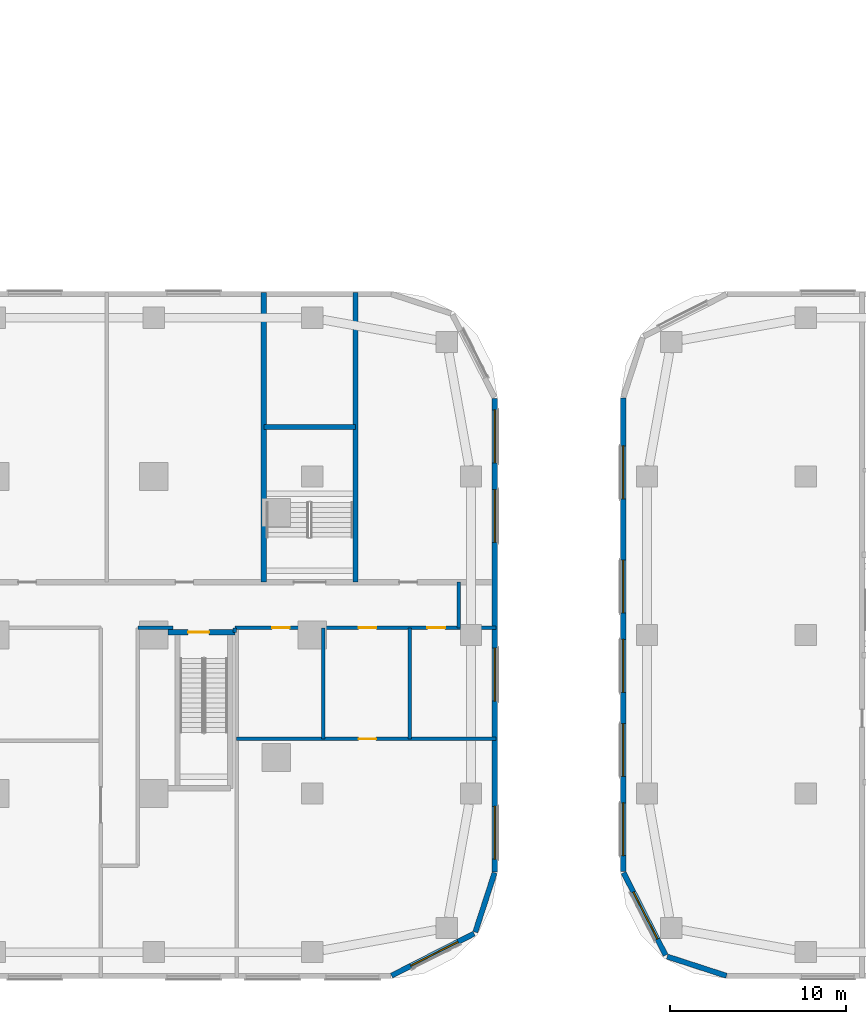
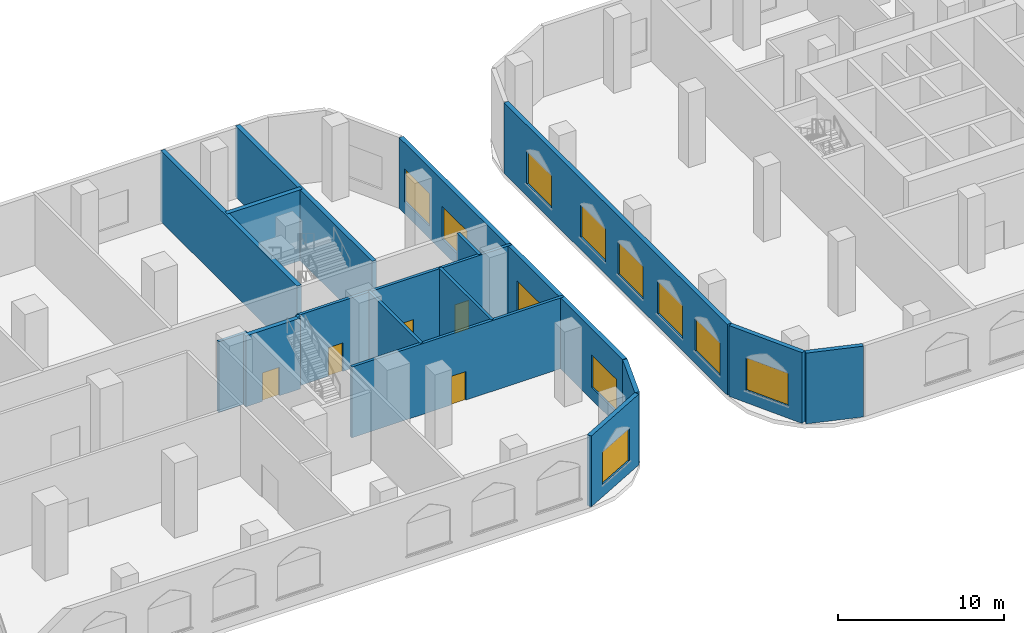
# One storey, part 8 of 31: 17 walls, 11 windows, 5 doors, 16 openings.
"""IFC4 building model written with IfcOpenShell, lengths in metres."""

from ifc_helpers import new_model, si_unit, direction, frame, frame_2d, origin, place, context, subcontext, project, spatial, rectangle, extrude, material, layer, layer_set, type_object, element, fill, save


model = new_model("IFC4")

# Units and contexts
model_context = context("Model", 3, precision=1e-05, world=origin(), true_north=direction((0.0, 1.0)))
body_context = subcontext(model_context, "Body", "Model", "MODEL_VIEW")
ifc_project = project(units=[si_unit("LENGTHUNIT", "METRE"), si_unit("AREAUNIT", "SQUARE_METRE"), si_unit("VOLUMEUNIT", "CUBIC_METRE"), si_unit("PLANEANGLEUNIT", "RADIAN"), si_unit("MASSUNIT", "GRAM", prefix="KILO")], contexts=[model_context])

# Site, building, storey
site_placement = place(None, origin())
site = spatial("IfcSite", under=ifc_project, at=site_placement, CompositionType="ELEMENT")
building_placement = place(site_placement, origin())
building = spatial("IfcBuilding", under=site, at=building_placement, Name="Ogive Portal Towers", CompositionType="ELEMENT")
storey_placement = place(building_placement, frame((0.0, 0.0, 8.0)))
storey = spatial("IfcBuildingStorey", under=building, at=storey_placement, Name="L01", CompositionType="ELEMENT", Elevation=8.0)

# Wall, opening, window
ifc_material_1 = material(Name="Limestone cladding on lightweight block wall", Category="masonry")
ifc_layer_1 = layer(ifc_material_1, 0.300048828125)
ifc_layer_set_1 = layer_set([ifc_layer_1], Name="EXTERNAL WALL 300 STONE")
wall_type_1 = type_object("IfcWallType", Name="EXTERNAL WALL 300 STONE", PredefinedType="SOLIDWALL", material=ifc_layer_set_1)
wall_1_placement = place(storey_placement, frame((98.99609375, 11.166259765625, 0.0), z_axis=(0.0, 0.0, 1.0), x_axis=(0.890998339455, 0.454006562826, 0.0)))
wall_1 = element("IfcWall", 1, at=wall_1_placement, inside=storey, type_object=wall_type_1, Name="A:L01:f03:w0", PredefinedType="SOLIDWALL", context=body_context, shape_type="SweptSolid", body=[
    extrude(rectangle(XDim=5.251708984375, YDim=0.300048828125, at=frame_2d((2.6259765625, 0.0))), origin(), (0.0, 0.0, 1.0), 5.199951171875),
])
opening_1_placement = place(wall_1_placement, frame((1.223876953125, 0.0, 0.89990234375)))
opening_1 = element("IfcOpeningElement", 2, at=opening_1_placement, cuts=wall_1, Name="Opening WN3", PredefinedType="OPENING", context=body_context, shape_type="SweptSolid", body=[
    extrude(rectangle(XDim=3.0, YDim=2.39990234375, at=frame_2d((1.5, 1.199951171875))), frame((0.0, 0.16015625, 0.0), z_axis=(0.0, -1.0, 0.0), x_axis=(1.0, 0.0, 0.0)), (0.0, 0.0, 1.0), 0.320068359375),
])
ifc_material_2 = material(Name="Glass, clear low-iron insulated glazing", Category="glass")
window_type = type_object("IfcWindowType", Name="WINDOW PODIUM 3000x2400", PartitioningType="SINGLE_PANEL", PredefinedType="WINDOW", material=ifc_material_2)
window_1_placement = place(opening_1_placement, origin())
window_1 = element("IfcWindow", 3, at=window_1_placement, inside=storey, type_object=window_type, Name="A:L01:f03:w0:o0", OverallHeight=2.39990234375, OverallWidth=3.0, PartitioningType="SINGLE_PANEL", PredefinedType="WINDOW", context=body_context, shape_type="SweptSolid", body=[
    extrude(rectangle(XDim=3.0, YDim=2.39990234375, at=frame_2d((1.5, 1.199951171875))), frame((0.0, 0.030029296875, 0.0), z_axis=(0.0, -1.0, 0.0), x_axis=(1.0, 0.0, 0.0)), (0.0, 0.0, 1.0), 0.06005859375),
])
fill(opening_1, window_1)

# Wall
wall_2_placement = place(storey_placement, frame((103.749755859375, 13.637939453125, 0.0), z_axis=(0.0, 0.0, 1.0), x_axis=(0.309073584194, 0.951038127287, 0.0)))
element("IfcWall", 4, at=wall_2_placement, inside=storey, type_object=wall_type_1, Name="A:L01:f04:w0", PredefinedType="SOLIDWALL", context=body_context, shape_type="SweptSolid", body=[
    extrude(rectangle(XDim=3.536376953125, YDim=0.300048828125, at=frame_2d((1.76806640625, 0.0))), origin(), (0.0, 0.0, 1.0), 5.199951171875),
])

# Wall, openings, windows
wall_3_placement = place(storey_placement, frame((104.85009765625, 17.047607421875, 0.0), z_axis=(0.0, 0.0, 1.0), x_axis=(0.0, 1.0, 0.0)))
wall_3 = element("IfcWall", 5, at=wall_3_placement, inside=storey, type_object=wall_type_1, Name="A:L01:f05:w0", PredefinedType="SOLIDWALL", context=body_context, shape_type="SweptSolid", body=[
    extrude(rectangle(XDim=26.88037109375, YDim=0.300048828125, at=frame_2d((13.440185546875, 0.0))), origin(), (0.0, 0.0, 1.0), 5.199951171875),
])
opening_2_placement = place(wall_3_placement, frame((0.726318359375, 0.0, 0.89990234375)))
opening_2 = element("IfcOpeningElement", 6, at=opening_2_placement, cuts=wall_3, Name="Opening WN3", PredefinedType="OPENING", context=body_context, shape_type="SweptSolid", body=[
    extrude(rectangle(XDim=3.0, YDim=2.39990234375, at=frame_2d((1.5, 1.199951171875))), frame((0.0, 0.16015625, 0.0), z_axis=(0.0, -1.0, 0.0), x_axis=(1.0, 0.0, 0.0)), (0.0, 0.0, 1.0), 0.320068359375),
])
opening_3_placement = place(wall_3_placement, frame((9.702392578125, 0.0, 0.89990234375)))
opening_3 = element("IfcOpeningElement", 7, at=opening_3_placement, cuts=wall_3, Name="Opening WN3", PredefinedType="OPENING", context=body_context, shape_type="SweptSolid", body=[
    extrude(rectangle(XDim=3.0, YDim=2.39990234375, at=frame_2d((1.5, 1.199951171875))), frame((0.0, 0.16015625, 0.0), z_axis=(0.0, -1.0, 0.0), x_axis=(1.0, 0.0, 0.0)), (0.0, 0.0, 1.0), 0.320068359375),
])
opening_4_placement = place(wall_3_placement, frame((18.702392578125, 0.0, 0.89990234375)))
opening_4 = element("IfcOpeningElement", 8, at=opening_4_placement, cuts=wall_3, Name="Opening WN3", PredefinedType="OPENING", context=body_context, shape_type="SweptSolid", body=[
    extrude(rectangle(XDim=3.0, YDim=2.39990234375, at=frame_2d((1.5, 1.199951171875))), frame((0.0, 0.16015625, 0.0), z_axis=(0.0, -1.0, 0.0), x_axis=(1.0, 0.0, 0.0)), (0.0, 0.0, 1.0), 0.320068359375),
])
opening_5_placement = place(wall_3_placement, frame((23.226318359375, 0.0, 0.89990234375)))
opening_5 = element("IfcOpeningElement", 9, at=opening_5_placement, cuts=wall_3, Name="Opening WN3", PredefinedType="OPENING", context=body_context, shape_type="SweptSolid", body=[
    extrude(rectangle(XDim=3.0, YDim=2.39990234375, at=frame_2d((1.5, 1.199951171875))), frame((0.0, 0.16015625, 0.0), z_axis=(0.0, -1.0, 0.0), x_axis=(1.0, 0.0, 0.0)), (0.0, 0.0, 1.0), 0.320068359375),
])
window_2_placement = place(opening_2_placement, origin())
window_2 = element("IfcWindow", 10, at=window_2_placement, inside=storey, type_object=window_type, Name="A:L01:f05:w0:o0", OverallHeight=2.39990234375, OverallWidth=3.0, PartitioningType="SINGLE_PANEL", PredefinedType="WINDOW", context=body_context, shape_type="SweptSolid", body=[
    extrude(rectangle(XDim=3.0, YDim=2.39990234375, at=frame_2d((1.5, 1.199951171875))), frame((0.0, 0.030029296875, 0.0), z_axis=(0.0, -1.0, 0.0), x_axis=(1.0, 0.0, 0.0)), (0.0, 0.0, 1.0), 0.06005859375),
])
fill(opening_2, window_2)
window_3_placement = place(opening_3_placement, origin())
window_3 = element("IfcWindow", 11, at=window_3_placement, inside=storey, type_object=window_type, Name="A:L01:f05:w0:o1b", OverallHeight=2.39990234375, OverallWidth=3.0, PartitioningType="SINGLE_PANEL", PredefinedType="WINDOW", context=body_context, shape_type="SweptSolid", body=[
    extrude(rectangle(XDim=3.0, YDim=2.39990234375, at=frame_2d((1.5, 1.199951171875))), frame((0.0, 0.030029296875, 0.0), z_axis=(0.0, -1.0, 0.0), x_axis=(1.0, 0.0, 0.0)), (0.0, 0.0, 1.0), 0.06005859375),
])
fill(opening_3, window_3)
window_4_placement = place(opening_4_placement, origin())
window_4 = element("IfcWindow", 12, at=window_4_placement, inside=storey, type_object=window_type, Name="A:L01:f05:w0:o2b", OverallHeight=2.39990234375, OverallWidth=3.0, PartitioningType="SINGLE_PANEL", PredefinedType="WINDOW", context=body_context, shape_type="SweptSolid", body=[
    extrude(rectangle(XDim=3.0, YDim=2.39990234375, at=frame_2d((1.5, 1.199951171875))), frame((0.0, 0.030029296875, 0.0), z_axis=(0.0, -1.0, 0.0), x_axis=(1.0, 0.0, 0.0)), (0.0, 0.0, 1.0), 0.06005859375),
])
fill(opening_4, window_4)
window_5_placement = place(opening_5_placement, origin())
window_5 = element("IfcWindow", 13, at=window_5_placement, inside=storey, type_object=window_type, Name="A:L01:f05:w0:o3", OverallHeight=2.39990234375, OverallWidth=3.0, PartitioningType="SINGLE_PANEL", PredefinedType="WINDOW", context=body_context, shape_type="SweptSolid", body=[
    extrude(rectangle(XDim=3.0, YDim=2.39990234375, at=frame_2d((1.5, 1.199951171875))), frame((0.0, 0.030029296875, 0.0), z_axis=(0.0, -1.0, 0.0), x_axis=(1.0, 0.0, 0.0)), (0.0, 0.0, 1.0), 0.06005859375),
])
fill(opening_5, window_5)

# Wall, opening, window
wall_4_placement = place(storey_placement, frame((112.166259765625, 17.00390625, 0.0), z_axis=(0.0, 0.0, 1.0), x_axis=(0.454006562826, -0.890998339455, 0.0)))
wall_4 = element("IfcWall", 14, at=wall_4_placement, inside=storey, type_object=wall_type_1, Name="B:L01:f00:w0", PredefinedType="SOLIDWALL", context=body_context, shape_type="SweptSolid", body=[
    extrude(rectangle(XDim=5.251708984375, YDim=0.300048828125, at=frame_2d((2.6259765625, 0.0))), origin(), (0.0, 0.0, 1.0), 5.199951171875),
])
opening_6_placement = place(wall_4_placement, frame((1.223876953125, 0.0, 0.89990234375)))
opening_6 = element("IfcOpeningElement", 15, at=opening_6_placement, cuts=wall_4, Name="Opening WN3", PredefinedType="OPENING", context=body_context, shape_type="SweptSolid", body=[
    extrude(rectangle(XDim=3.0, YDim=2.39990234375, at=frame_2d((1.5, 1.199951171875))), frame((0.0, 0.16015625, 0.0), z_axis=(0.0, -1.0, 0.0), x_axis=(1.0, 0.0, 0.0)), (0.0, 0.0, 1.0), 0.320068359375),
])
window_6_placement = place(opening_6_placement, origin())
window_6 = element("IfcWindow", 16, at=window_6_placement, inside=storey, type_object=window_type, Name="B:L01:f00:w0:o0", OverallHeight=2.39990234375, OverallWidth=3.0, PartitioningType="SINGLE_PANEL", PredefinedType="WINDOW", context=body_context, shape_type="SweptSolid", body=[
    extrude(rectangle(XDim=3.0, YDim=2.39990234375, at=frame_2d((1.5, 1.199951171875))), frame((0.0, 0.030029296875, 0.0), z_axis=(0.0, -1.0, 0.0), x_axis=(1.0, 0.0, 0.0)), (0.0, 0.0, 1.0), 0.06005859375),
])
fill(opening_6, window_6)

# Wall
wall_5_placement = place(storey_placement, frame((114.637939453125, 12.250244140625, 0.0), z_axis=(0.0, 0.0, 1.0), x_axis=(0.951038127287, -0.309073584194, 0.0)))
element("IfcWall", 17, at=wall_5_placement, inside=storey, type_object=wall_type_1, Name="B:L01:f01:w0", PredefinedType="SOLIDWALL", context=body_context, shape_type="SweptSolid", body=[
    extrude(rectangle(XDim=3.536376953125, YDim=0.300048828125, at=frame_2d((1.76806640625, 0.0))), origin(), (0.0, 0.0, 1.0), 5.199951171875),
])

# Wall, openings, windows
wall_6_placement = place(storey_placement, frame((112.14990234375, 43.952392578125, 0.0), z_axis=(0.0, 0.0, 1.0), x_axis=(0.0, -1.0, 0.0)))
wall_6 = element("IfcWall", 18, at=wall_6_placement, inside=storey, type_object=wall_type_1, Name="B:L01:f11:w0", PredefinedType="SOLIDWALL", context=body_context, shape_type="SweptSolid", body=[
    extrude(rectangle(XDim=26.88037109375, YDim=0.300048828125, at=frame_2d((13.440185546875, 0.0))), origin(), (0.0, 0.0, 1.0), 5.199951171875),
])
opening_7_placement = place(wall_6_placement, frame((2.726318359375, 0.0, 0.89990234375)))
opening_7 = element("IfcOpeningElement", 19, at=opening_7_placement, cuts=wall_6, Name="Opening WN3", PredefinedType="OPENING", context=body_context, shape_type="SweptSolid", body=[
    extrude(rectangle(XDim=3.0, YDim=2.39990234375, at=frame_2d((1.5, 1.199951171875))), frame((0.0, 0.16015625, 0.0), z_axis=(0.0, -1.0, 0.0), x_axis=(1.0, 0.0, 0.0)), (0.0, 0.0, 1.0), 0.320068359375),
])
opening_8_placement = place(wall_6_placement, frame((9.202392578125, 0.0, 0.89990234375)))
opening_8 = element("IfcOpeningElement", 20, at=opening_8_placement, cuts=wall_6, Name="Opening WN3", PredefinedType="OPENING", context=body_context, shape_type="SweptSolid", body=[
    extrude(rectangle(XDim=3.0, YDim=2.39990234375, at=frame_2d((1.5, 1.199951171875))), frame((0.0, 0.16015625, 0.0), z_axis=(0.0, -1.0, 0.0), x_axis=(1.0, 0.0, 0.0)), (0.0, 0.0, 1.0), 0.320068359375),
])
opening_9_placement = place(wall_6_placement, frame((13.702392578125, 0.0, 0.89990234375)))
opening_9 = element("IfcOpeningElement", 21, at=opening_9_placement, cuts=wall_6, Name="Opening WN3", PredefinedType="OPENING", context=body_context, shape_type="SweptSolid", body=[
    extrude(rectangle(XDim=3.0, YDim=2.39990234375, at=frame_2d((1.5, 1.199951171875))), frame((0.0, 0.16015625, 0.0), z_axis=(0.0, -1.0, 0.0), x_axis=(1.0, 0.0, 0.0)), (0.0, 0.0, 1.0), 0.320068359375),
])
opening_10_placement = place(wall_6_placement, frame((18.476318359375, 0.0, 0.89990234375)))
opening_10 = element("IfcOpeningElement", 22, at=opening_10_placement, cuts=wall_6, Name="Opening WN3", PredefinedType="OPENING", context=body_context, shape_type="SweptSolid", body=[
    extrude(rectangle(XDim=3.0, YDim=2.39990234375, at=frame_2d((1.5, 1.199951171875))), frame((0.0, 0.16015625, 0.0), z_axis=(0.0, -1.0, 0.0), x_axis=(1.0, 0.0, 0.0)), (0.0, 0.0, 1.0), 0.320068359375),
])
opening_11_placement = place(wall_6_placement, frame((22.976318359375, 0.0, 0.89990234375)))
opening_11 = element("IfcOpeningElement", 23, at=opening_11_placement, cuts=wall_6, Name="Opening WN3", PredefinedType="OPENING", context=body_context, shape_type="SweptSolid", body=[
    extrude(rectangle(XDim=3.0, YDim=2.39990234375, at=frame_2d((1.5, 1.199951171875))), frame((0.0, 0.16015625, 0.0), z_axis=(0.0, -1.0, 0.0), x_axis=(1.0, 0.0, 0.0)), (0.0, 0.0, 1.0), 0.320068359375),
])
window_7_placement = place(opening_7_placement, origin())
window_7 = element("IfcWindow", 24, at=window_7_placement, inside=storey, type_object=window_type, Name="B:L01:f11:w0:o0", OverallHeight=2.39990234375, OverallWidth=3.0, PartitioningType="SINGLE_PANEL", PredefinedType="WINDOW", context=body_context, shape_type="SweptSolid", body=[
    extrude(rectangle(XDim=3.0, YDim=2.39990234375, at=frame_2d((1.5, 1.199951171875))), frame((0.0, 0.030029296875, 0.0), z_axis=(0.0, -1.0, 0.0), x_axis=(1.0, 0.0, 0.0)), (0.0, 0.0, 1.0), 0.06005859375),
])
fill(opening_7, window_7)
window_8_placement = place(opening_8_placement, origin())
window_8 = element("IfcWindow", 25, at=window_8_placement, inside=storey, type_object=window_type, Name="B:L01:f11:w0:o1a", OverallHeight=2.39990234375, OverallWidth=3.0, PartitioningType="SINGLE_PANEL", PredefinedType="WINDOW", context=body_context, shape_type="SweptSolid", body=[
    extrude(rectangle(XDim=3.0, YDim=2.39990234375, at=frame_2d((1.5, 1.199951171875))), frame((0.0, 0.030029296875, 0.0), z_axis=(0.0, -1.0, 0.0), x_axis=(1.0, 0.0, 0.0)), (0.0, 0.0, 1.0), 0.06005859375),
])
fill(opening_8, window_8)
window_9_placement = place(opening_9_placement, origin())
window_9 = element("IfcWindow", 26, at=window_9_placement, inside=storey, type_object=window_type, Name="B:L01:f11:w0:o1b", OverallHeight=2.39990234375, OverallWidth=3.0, PartitioningType="SINGLE_PANEL", PredefinedType="WINDOW", context=body_context, shape_type="SweptSolid", body=[
    extrude(rectangle(XDim=3.0, YDim=2.39990234375, at=frame_2d((1.5, 1.199951171875))), frame((0.0, 0.030029296875, 0.0), z_axis=(0.0, -1.0, 0.0), x_axis=(1.0, 0.0, 0.0)), (0.0, 0.0, 1.0), 0.06005859375),
])
fill(opening_9, window_9)
window_10_placement = place(opening_10_placement, origin())
window_10 = element("IfcWindow", 27, at=window_10_placement, inside=storey, type_object=window_type, Name="B:L01:f11:w0:o2a", OverallHeight=2.39990234375, OverallWidth=3.0, PartitioningType="SINGLE_PANEL", PredefinedType="WINDOW", context=body_context, shape_type="SweptSolid", body=[
    extrude(rectangle(XDim=3.0, YDim=2.39990234375, at=frame_2d((1.5, 1.199951171875))), frame((0.0, 0.030029296875, 0.0), z_axis=(0.0, -1.0, 0.0), x_axis=(1.0, 0.0, 0.0)), (0.0, 0.0, 1.0), 0.06005859375),
])
fill(opening_10, window_10)
window_11_placement = place(opening_11_placement, origin())
window_11 = element("IfcWindow", 28, at=window_11_placement, inside=storey, type_object=window_type, Name="B:L01:f11:w0:o2b", OverallHeight=2.39990234375, OverallWidth=3.0, PartitioningType="SINGLE_PANEL", PredefinedType="WINDOW", context=body_context, shape_type="SweptSolid", body=[
    extrude(rectangle(XDim=3.0, YDim=2.39990234375, at=frame_2d((1.5, 1.199951171875))), frame((0.0, 0.030029296875, 0.0), z_axis=(0.0, -1.0, 0.0), x_axis=(1.0, 0.0, 0.0)), (0.0, 0.0, 1.0), 0.06005859375),
])
fill(opening_11, window_11)

# Wall, opening, door
ifc_material_3 = material(Name="Concrete C50/60", Category="concrete")
ifc_layer_2 = layer(ifc_material_3, 0.300048828125)
ifc_layer_set_2 = layer_set([ifc_layer_2], Name="STAIR WALL 300 C50")
wall_type_2 = type_object("IfcWallType", Name="STAIR WALL 300 C50", PredefinedType="SHEAR", material=ifc_layer_set_2)
wall_7_placement = place(storey_placement, frame((86.300048828125, 30.64990234375, 0.0), z_axis=(0.0, 0.0, 1.0), x_axis=(1.0, 0.0, 0.0)))
wall_7 = element("IfcWall", 29, at=wall_7_placement, inside=storey, type_object=wall_type_2, Name="Stair wall ST-A4 L01", PredefinedType="SHEAR", context=body_context, shape_type="SweptSolid", body=[
    extrude(rectangle(XDim=3.800048828125, YDim=0.300048828125, at=frame_2d((1.89990234375, 0.0))), origin(), (0.0, 0.0, 1.0), 5.199951171875),
])
opening_12_placement = place(wall_7_placement, frame((1.14990234375, 0.0, 0.0)))
opening_12 = element("IfcOpeningElement", 30, at=opening_12_placement, cuts=wall_7, Name="Opening P01-002", PredefinedType="OPENING", context=body_context, shape_type="SweptSolid", body=[
    extrude(rectangle(XDim=1.199951171875, YDim=2.10009765625, at=frame_2d((0.60009765625, 1.050048828125))), frame((0.0, 0.16015625, 0.0), z_axis=(0.0, -1.0, 0.0), x_axis=(1.0, 0.0, 0.0)), (0.0, 0.0, 1.0), 0.320068359375),
])
ifc_material_4 = material(Name="Steel fire door", Category="steel")
door_type_1 = type_object("IfcDoorType", Name="DT-SWING-1200x2100-FD90S", OperationType="SINGLE_SWING_LEFT", PredefinedType="DOOR", material=ifc_material_4)
door_1_placement = place(opening_12_placement, origin())
door_1 = element("IfcDoor", 31, at=door_1_placement, inside=storey, type_object=door_type_1, Name="Door P01-002", OperationType="SINGLE_SWING_RIGHT", OverallHeight=2.10009765625, OverallWidth=1.199951171875, PredefinedType="DOOR", context=body_context, shape_type="SweptSolid", body=[
    extrude(rectangle(XDim=1.199951171875, YDim=2.10009765625, at=frame_2d((0.60009765625, 1.050048828125))), frame((0.0, 0.02490234375, 0.0), z_axis=(0.0, -1.0, 0.0), x_axis=(1.0, 0.0, 0.0)), (0.0, 0.0, 1.0), 0.050048828125),
])
fill(opening_12, door_1)

# Walls
wall_8_placement = place(storey_placement, frame((91.75, 42.300048828125, 0.0), z_axis=(0.0, 0.0, 1.0), x_axis=(1.0, 0.0, 0.0)))
element("IfcWall", 32, at=wall_8_placement, inside=storey, type_object=wall_type_2, Name="Stair wall ST-P1 L01", PredefinedType="SHEAR", context=body_context, shape_type="SweptSolid", body=[
    extrude(rectangle(XDim=5.199951171875, YDim=0.300048828125, at=frame_2d((2.60009765625, 0.0))), origin(), (0.0, 0.0, 1.0), 5.199951171875),
])
for number, where, z_axis, x_axis, name in (
    (33, (91.75, 33.5, 0.0), (0.0, 0.0, 1.0), (0.0, 1.0, 0.0), "Stair wall ST-P1 L01"),
    (34, (96.949951171875, 33.5, 0.0), (0.0, 0.0, 1.0), (0.0, 1.0, 0.0), "Stair wall ST-P1 L01"),
):
    element("IfcWall", number, at=place(storey_placement, frame(where, z_axis=z_axis, x_axis=x_axis)), inside=storey, type_object=wall_type_2, Name=name, PredefinedType="SHEAR", context=body_context, shape_type="SweptSolid", body=[
        extrude(rectangle(XDim=16.429931640625, YDim=0.300048828125, at=frame_2d((8.21484375, 0.0))), origin(), (0.0, 0.0, 1.0), 5.199951171875),
    ])

# Wall, opening, door
ifc_material_5 = material(Name="Gypsum board partition on steel studs", Category="steel")
ifc_layer_3 = layer(ifc_material_5, 0.199951171875)
ifc_layer_set_3 = layer_set([ifc_layer_3], Name="WT-PART-200-EI 60")
wall_type_3 = type_object("IfcWallType", Name="WT-PART-200-EI 60", PredefinedType="PARTITIONING", material=ifc_layer_set_3)
wall_9_placement = place(storey_placement, frame((90.199951171875, 24.60009765625, 0.0), z_axis=(0.0, 0.0, 1.0), x_axis=(1.0, 0.0, 0.0)))
wall_9 = element("IfcWall", 35, at=wall_9_placement, inside=storey, type_object=wall_type_3, Name="Wall L01:w010", PredefinedType="PARTITIONING", context=body_context, shape_type="SweptSolid", body=[
    extrude(rectangle(XDim=14.72998046875, YDim=0.199951171875, at=frame_2d((7.364990234375, 0.0))), origin(), (0.0, 0.0, 1.0), 5.199951171875),
])
opening_13_placement = place(wall_9_placement, frame((6.925048828125, 0.0, 0.0)))
opening_13 = element("IfcOpeningElement", 36, at=opening_13_placement, cuts=wall_9, Name="Opening P01-014", PredefinedType="OPENING", context=body_context, shape_type="SweptSolid", body=[
    extrude(rectangle(XDim=1.0, YDim=2.10009765625, at=frame_2d((0.5, 1.050048828125))), frame((0.0, 0.10986328125, 0.0), z_axis=(0.0, -1.0, 0.0), x_axis=(1.0, 0.0, 0.0)), (0.0, 0.0, 1.0), 0.219970703125),
])
door_type_2 = type_object("IfcDoorType", Name="DT-SWING-1000x2100-FD60S", OperationType="SINGLE_SWING_LEFT", PredefinedType="DOOR", material=ifc_material_4)
door_2_placement = place(opening_13_placement, origin())
door_2 = element("IfcDoor", 37, at=door_2_placement, inside=storey, type_object=door_type_2, Name="Door P01-014", OperationType="SINGLE_SWING_RIGHT", OverallHeight=2.10009765625, OverallWidth=1.0, PredefinedType="DOOR", context=body_context, shape_type="SweptSolid", body=[
    extrude(rectangle(XDim=1.0, YDim=2.10009765625, at=frame_2d((0.5, 1.050048828125))), frame((0.0, 0.02490234375, 0.0), z_axis=(0.0, -1.0, 0.0), x_axis=(1.0, 0.0, 0.0)), (0.0, 0.0, 1.0), 0.050048828125),
])
fill(opening_13, door_2)

# Wall
wall_10_placement = place(storey_placement, frame((84.60009765625, 30.89990234375, 0.0), z_axis=(0.0, 0.0, 1.0), x_axis=(1.0, 0.0, 0.0)))
element("IfcWall", 38, at=wall_10_placement, inside=storey, type_object=wall_type_3, Name="Wall L01:w014", PredefinedType="PARTITIONING", context=body_context, shape_type="SweptSolid", body=[
    extrude(rectangle(XDim=2.0, YDim=0.199951171875, at=frame_2d((1.0, 0.0))), origin(), (0.0, 0.0, 1.0), 5.199951171875),
])

# Wall, openings, doors
wall_11_placement = place(storey_placement, frame((90.10009765625, 30.89990234375, 0.0), z_axis=(0.0, 0.0, 1.0), x_axis=(1.0, 0.0, 0.0)))
wall_11 = element("IfcWall", 39, at=wall_11_placement, inside=storey, type_object=wall_type_3, Name="Wall L01:w015", PredefinedType="PARTITIONING", context=body_context, shape_type="SweptSolid", body=[
    extrude(rectangle(XDim=14.829833984375, YDim=0.199951171875, at=frame_2d((7.4150390625, 0.0))), origin(), (0.0, 0.0, 1.0), 5.199951171875),
])
opening_14_placement = place(wall_11_placement, frame((2.113037109375, 0.0, 0.0)))
opening_14 = element("IfcOpeningElement", 40, at=opening_14_placement, cuts=wall_11, Name="Opening P01-011", PredefinedType="OPENING", context=body_context, shape_type="SweptSolid", body=[
    extrude(rectangle(XDim=1.0, YDim=2.10009765625, at=frame_2d((0.5, 1.050048828125))), frame((0.0, 0.10986328125, 0.0), z_axis=(0.0, -1.0, 0.0), x_axis=(1.0, 0.0, 0.0)), (0.0, 0.0, 1.0), 0.219970703125),
])
opening_15_placement = place(wall_11_placement, frame((7.030029296875, 0.0, 0.0)))
opening_15 = element("IfcOpeningElement", 41, at=opening_15_placement, cuts=wall_11, Name="Opening P01-012", PredefinedType="OPENING", context=body_context, shape_type="SweptSolid", body=[
    extrude(rectangle(XDim=1.0, YDim=2.10009765625, at=frame_2d((0.5, 1.050048828125))), frame((0.0, 0.10986328125, 0.0), z_axis=(0.0, -1.0, 0.0), x_axis=(1.0, 0.0, 0.0)), (0.0, 0.0, 1.0), 0.219970703125),
])
opening_16_placement = place(wall_11_placement, frame((10.93505859375, 0.0, 0.0)))
opening_16 = element("IfcOpeningElement", 42, at=opening_16_placement, cuts=wall_11, Name="Opening P01-013", PredefinedType="OPENING", context=body_context, shape_type="SweptSolid", body=[
    extrude(rectangle(XDim=1.0, YDim=2.10009765625, at=frame_2d((0.5, 1.050048828125))), frame((0.0, 0.10986328125, 0.0), z_axis=(0.0, -1.0, 0.0), x_axis=(1.0, 0.0, 0.0)), (0.0, 0.0, 1.0), 0.219970703125),
])
door_3_placement = place(opening_14_placement, origin())
door_3 = element("IfcDoor", 43, at=door_3_placement, inside=storey, type_object=door_type_2, Name="Door P01-011", OperationType="SINGLE_SWING_LEFT", OverallHeight=2.10009765625, OverallWidth=1.0, PredefinedType="DOOR", context=body_context, shape_type="SweptSolid", body=[
    extrude(rectangle(XDim=1.0, YDim=2.10009765625, at=frame_2d((0.5, 1.050048828125))), frame((0.0, 0.02490234375, 0.0), z_axis=(0.0, -1.0, 0.0), x_axis=(1.0, 0.0, 0.0)), (0.0, 0.0, 1.0), 0.050048828125),
])
fill(opening_14, door_3)
door_4_placement = place(opening_15_placement, origin())
door_4 = element("IfcDoor", 44, at=door_4_placement, inside=storey, type_object=door_type_2, Name="Door P01-012", OperationType="SINGLE_SWING_RIGHT", OverallHeight=2.10009765625, OverallWidth=1.0, PredefinedType="DOOR", context=body_context, shape_type="SweptSolid", body=[
    extrude(rectangle(XDim=1.0, YDim=2.10009765625, at=frame_2d((0.5, 1.050048828125))), frame((0.0, 0.02490234375, 0.0), z_axis=(0.0, -1.0, 0.0), x_axis=(1.0, 0.0, 0.0)), (0.0, 0.0, 1.0), 0.050048828125),
])
fill(opening_15, door_4)
door_5_placement = place(opening_16_placement, origin())
door_5 = element("IfcDoor", 45, at=door_5_placement, inside=storey, type_object=door_type_2, Name="Door P01-013", OperationType="SINGLE_SWING_LEFT", OverallHeight=2.10009765625, OverallWidth=1.0, PredefinedType="DOOR", context=body_context, shape_type="SweptSolid", body=[
    extrude(rectangle(XDim=1.0, YDim=2.10009765625, at=frame_2d((0.5, 1.050048828125))), frame((0.0, 0.02490234375, 0.0), z_axis=(0.0, -1.0, 0.0), x_axis=(1.0, 0.0, 0.0)), (0.0, 0.0, 1.0), 0.050048828125),
])
fill(opening_16, door_5)

# Walls
wall_12_placement = place(storey_placement, frame((100.032958984375, 24.60009765625, 0.0), z_axis=(0.0, 0.0, 1.0), x_axis=(0.0, 1.0, 0.0)))
element("IfcWall", 46, at=wall_12_placement, inside=storey, type_object=wall_type_3, Name="Wall L01:w046", PredefinedType="PARTITIONING", context=body_context, shape_type="SweptSolid", body=[
    extrude(rectangle(XDim=6.2998046875, YDim=0.199951171875, at=frame_2d((3.14990234375, 0.0))), origin(), (0.0, 0.0, 1.0), 5.199951171875),
])
wall_13_placement = place(storey_placement, frame((102.800048828125, 30.89990234375, 0.0), z_axis=(0.0, 0.0, 1.0), x_axis=(0.0, 1.0, 0.0)))
element("IfcWall", 47, at=wall_13_placement, inside=storey, type_object=wall_type_3, Name="Wall L01:w047", PredefinedType="PARTITIONING", context=body_context, shape_type="SweptSolid", body=[
    extrude(rectangle(XDim=2.60009765625, YDim=0.199951171875, at=frame_2d((1.300048828125, 0.0))), origin(), (0.0, 0.0, 1.0), 5.199951171875),
])
wall_14_placement = place(storey_placement, frame((90.10009765625, 30.64990234375, 0.0), z_axis=(0.0, 0.0, 1.0), x_axis=(0.0, 1.0, 0.0)))
element("IfcWall", 48, at=wall_14_placement, inside=storey, type_object=wall_type_3, Name="Wall L01:w088", PredefinedType="PARTITIONING", context=body_context, shape_type="SweptSolid", body=[
    extrude(rectangle(XDim=0.25, YDim=0.199951171875, at=frame_2d((0.125, 0.0))), origin(), (0.0, 0.0, 1.0), 5.199951171875),
])
wall_15_placement = place(storey_placement, frame((95.116943359375, 24.60009765625, 0.0), z_axis=(0.0, 0.0, 1.0), x_axis=(0.0, 1.0, 0.0)))
element("IfcWall", 49, at=wall_15_placement, inside=storey, type_object=wall_type_3, Name="Wall L01:w091", PredefinedType="PARTITIONING", context=body_context, shape_type="SweptSolid", body=[
    extrude(rectangle(XDim=6.2998046875, YDim=0.199951171875, at=frame_2d((3.14990234375, 0.0))), origin(), (0.0, 0.0, 1.0), 5.199951171875),
])

save(model, "model.ifc")
